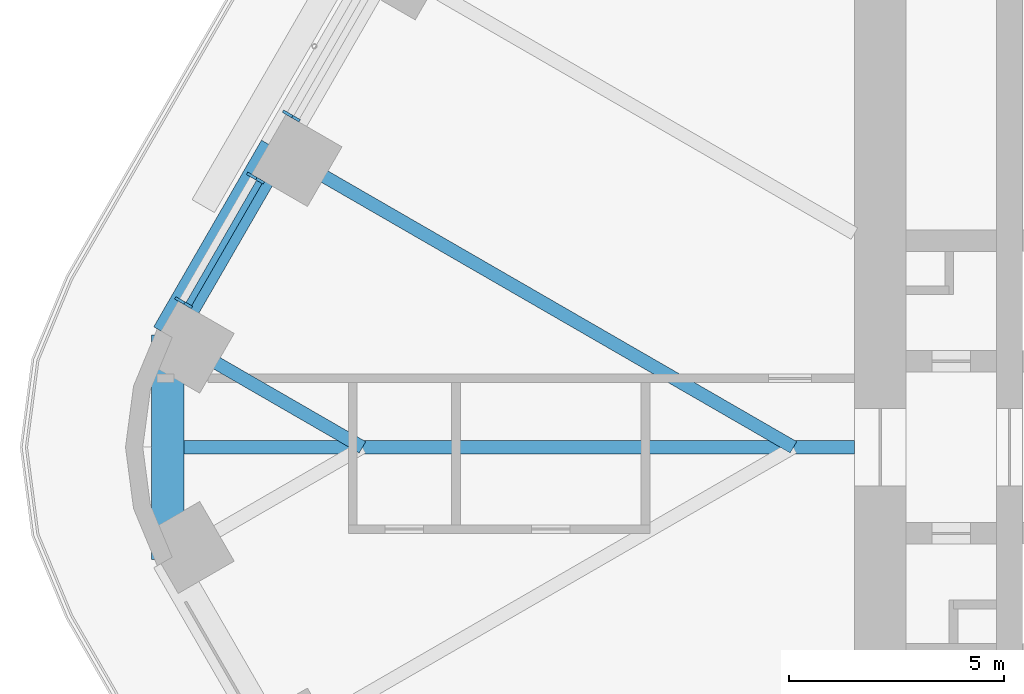
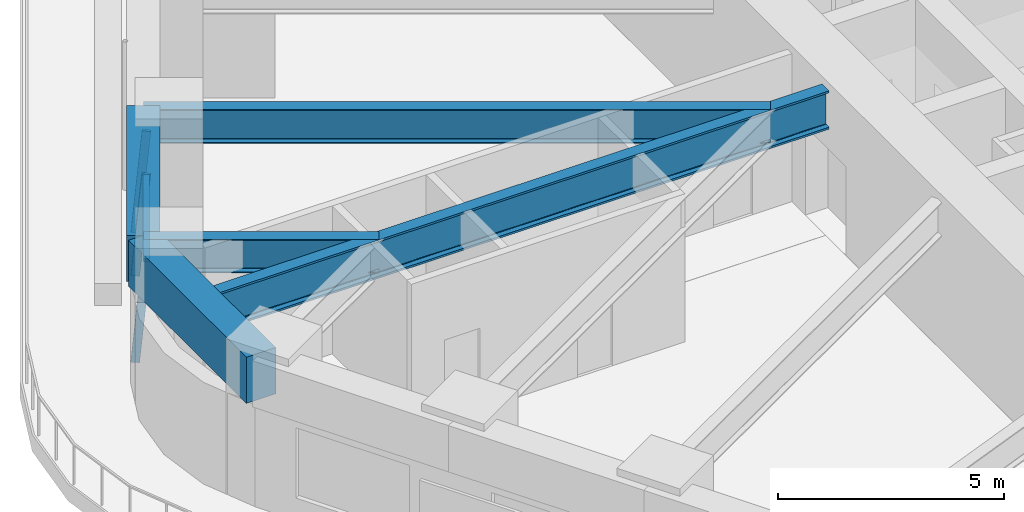
# One storey, part 6 of 24: 5 beams, 4 members, 2 elements without a shape of their own.
"""IFC4 building model written with IfcOpenShell, lengths in metres."""

from ifc_helpers import new_model, si_unit, direction, frame, origin, origin_2d, place, context, subcontext, project, spatial, rectangle, i_section, extrude, material, material_profile, profile_set, type_object, element, aggregate, save


model = new_model("IFC4")

# Units and contexts
model_context = context("Model", 3, precision=1e-05, world=origin(), true_north=direction((0.0, 1.0)))
body_context = subcontext(model_context, "Body", "Model", "MODEL_VIEW")
ifc_project = project(units=[si_unit("LENGTHUNIT", "METRE"), si_unit("AREAUNIT", "SQUARE_METRE"), si_unit("VOLUMEUNIT", "CUBIC_METRE"), si_unit("PLANEANGLEUNIT", "RADIAN"), si_unit("MASSUNIT", "GRAM", prefix="KILO")], contexts=[model_context])

# Site, building, storey
site_placement = place(None, origin())
site = spatial("IfcSite", under=ifc_project, at=site_placement, CompositionType="ELEMENT")
building_placement = place(site_placement, origin())
building = spatial("IfcBuilding", under=site, at=building_placement, Name="Tarfa Lantern Tower", CompositionType="ELEMENT")
storey_placement = place(building_placement, frame((0.0, 0.0, 157.300048828125)))
storey = spatial("IfcBuildingStorey", under=building, at=storey_placement, Name="L35", CompositionType="ELEMENT", Elevation=157.300048828125)

# Curtain wall, member
ifc_material_1 = material(Name="Aluminium framed curtain wall", Category="aluminium")
curtain_wall_type = type_object("IfcCurtainWallType", Name="CW2 CANTED GLAZING MID ZONE 2750", PredefinedType="USERDEFINED", material=ifc_material_1)
curtain_wall_1_placement = place(storey_placement, origin())
curtain_wall_1 = element("IfcCurtainWall", 1, at=curtain_wall_1_placement, inside=storey, type_object=curtain_wall_type, Name="CW2 NWB L35", ObjectType="CURTAIN WALL", PredefinedType="USERDEFINED")
ifc_material_2 = material(Name="Aluminium mullion", Category="aluminium")
ifc_material_profile_1 = material_profile(ifc_material_2, rectangle(XDim=0.06494140625, YDim=0.199951171875, at=origin_2d()), Name="AL MULLION 65x200")
ifc_profile_set_1 = profile_set([ifc_material_profile_1], Name="Aluminium mullion")
member_type_1 = type_object("IfcMemberType", Name="CWM1 MULLION 65x200", PredefinedType="MULLION", material=ifc_profile_set_1)
member_1_placement = place(storey_placement, frame((-31.78076171875, 7.75439453125, 0.0), z_axis=(0.078422950161, -0.045267813396, 0.995891894715), x_axis=(0.499919672301, 0.866071776036, 0.0)))
member_1 = element("IfcMember", 2, at=member_1_placement, type_object=member_type_1, Name="CW2 mullion 2", PredefinedType="MULLION", context=body_context, shape_type="SweptSolid", body=[
    extrude(rectangle(XDim=0.06494140625, YDim=0.199951171875, at=origin_2d()), origin(), (0.0, 0.0, 1.0), 2.76123046875),
])
aggregate(curtain_wall_1, [member_1])

# Curtain wall, members
curtain_wall_2_placement = place(storey_placement, origin())
curtain_wall_2 = element("IfcCurtainWall", 3, at=curtain_wall_2_placement, inside=storey, type_object=curtain_wall_type, Name="CW2 NWB L35", ObjectType="CURTAIN WALL", PredefinedType="USERDEFINED")
member_2_placement = place(storey_placement, frame((-32.613037109375, 6.312255859375, 0.0), z_axis=(0.078335079308, -0.045268127094, 0.995898796073), x_axis=(0.500342721131, 0.865827443207, 0.0)))
member_2 = element("IfcMember", 4, at=member_2_placement, type_object=member_type_1, Name="CW2 mullion 1", PredefinedType="MULLION", context=body_context, shape_type="SweptSolid", body=[
    extrude(rectangle(XDim=0.06494140625, YDim=0.199951171875, at=origin_2d()), origin(), (0.0, 0.0, 1.0), 2.76123046875),
])
member_3_placement = place(storey_placement, frame((-34.282470703125, 3.4208984375, 0.0), z_axis=(0.078422950161, -0.045267813396, 0.995891894715), x_axis=(0.499919672301, 0.866071776036, 0.0)))
member_3 = element("IfcMember", 5, at=member_3_placement, type_object=member_type_1, Name="CW2 mullion 2", PredefinedType="MULLION", context=body_context, shape_type="SweptSolid", body=[
    extrude(rectangle(XDim=0.06494140625, YDim=0.199951171875, at=origin_2d()), origin(), (0.0, 0.0, 1.0), 2.76123046875),
])
ifc_material_3 = material(Name="Aluminium transom", Category="aluminium")
ifc_material_profile_2 = material_profile(ifc_material_3, rectangle(XDim=0.14990234375, YDim=0.06494140625, at=origin_2d()), Name="AL TRANSOM 150x65")
ifc_profile_set_2 = profile_set([ifc_material_profile_2], Name="Aluminium transom")
member_type_2 = type_object("IfcMemberType", Name="CWT1 TRANSOM 150x65", PredefinedType="USERDEFINED", material=ifc_profile_set_2)
member_4_placement = place(storey_placement, frame((-32.41552734375, 6.16064453125, 2.717529296875), z_axis=(-0.499989298045, -0.866031582473, 0.0), x_axis=(0.866031582473, -0.499989298045, 0.0)))
member_4 = element("IfcMember", 6, at=member_4_placement, type_object=member_type_2, Name="CW2 transom 1.2", ObjectType="TRANSOM", PredefinedType="USERDEFINED", context=body_context, shape_type="SweptSolid", body=[
    extrude(rectangle(XDim=0.14990234375, YDim=0.06494140625, at=origin_2d()), origin(), (0.0, 0.0, 1.0), 3.2734375),
])
aggregate(curtain_wall_2, [member_2, member_3, member_4])

# Beams
ifc_material_4 = material(Name="Concrete C80/95", Category="concrete")
ifc_material_profile_3 = material_profile(ifc_material_4, rectangle(XDim=0.75, YDim=1.25, at=origin_2d()), Name="RC 750x1250")
ifc_profile_set_3 = profile_set([ifc_material_profile_3], Name="Concrete C80/95")
beam_type_1 = type_object("IfcBeamType", Name="EB2 RC 750x1250", PredefinedType="SPANDREL", material=ifc_profile_set_3)
beam_1_placement = place(storey_placement, frame((-32.041015625, 6.943359375, 3.375), z_axis=(-0.500022324899, -0.866012514114, 0.0), x_axis=(0.866012514114, -0.500022324899, 0.0)))
element("IfcBeam", 7, at=beam_1_placement, inside=storey, type_object=beam_type_1, Name="Edge beam NW5", PredefinedType="SPANDREL", context=body_context, shape_type="SweptSolid", body=[
    extrude(rectangle(XDim=0.75, YDim=1.25, at=origin_2d()), origin(), (0.0, 0.0, 1.0), 5.003662109375),
])
beam_2_placement = place(storey_placement, frame((-34.54296875, 2.610107421875, 3.375), z_axis=(0.0, -1.0, 0.0), x_axis=(1.0, 0.0, 0.0)))
element("IfcBeam", 8, at=beam_2_placement, inside=storey, type_object=beam_type_1, Name="Edge beam NW6", PredefinedType="SPANDREL", context=body_context, shape_type="SweptSolid", body=[
    extrude(rectangle(XDim=0.75, YDim=1.25, at=origin_2d()), origin(), (0.0, 0.0, 1.0), 5.22021484375),
])
ifc_material_5 = material(Name="Steel S460M", Category="steel")
ifc_material_profile_4 = material_profile(ifc_material_5, i_section(OverallWidth=0.30859375, OverallDepth=1.036376953125, WebThickness=0.030029296875, FlangeThickness=0.05419921875, FilletRadius=0.030029296875, at=origin_2d()), Name="UB1016x305x487")
ifc_profile_set_4 = profile_set([ifc_material_profile_4], Name="Steel S460M")
beam_type_2 = type_object("IfcBeamType", Name="UB1016x305x487", PredefinedType="BEAM", material=ifc_profile_set_4)
beam_3_placement = place(storey_placement, frame((-18.60009765625, 0.0, 3.481689453125), z_axis=(-1.0, 0.0, 0.0), x_axis=(0.0, -1.0, 0.0)))
element("IfcBeam", 9, at=beam_3_placement, inside=storey, type_object=beam_type_2, Name="Hip girder W", PredefinedType="BEAM", context=body_context, shape_type="SweptSolid", body=[
    extrude(i_section(OverallWidth=0.30859375, OverallDepth=1.036376953125, WebThickness=0.030029296875, FlangeThickness=0.05419921875, FilletRadius=0.030029296875, at=origin_2d()), origin(), (0.0, 0.0, 1.0), 15.94287109375),
])
ifc_material_profile_5 = material_profile(ifc_material_5, i_section(OverallWidth=0.305419921875, OverallDepth=0.91845703125, WebThickness=0.017333984375, FlangeThickness=0.02783203125, FilletRadius=0.01904296875, at=origin_2d()), Name="UB914x305x253")
ifc_profile_set_5 = profile_set([ifc_material_profile_5], Name="Steel S460M")
beam_type_3 = type_object("IfcBeamType", Name="UB914x305x253", PredefinedType="BEAM", material=ifc_profile_set_5)
beam_4_placement = place(storey_placement, frame((-32.041015625, 6.943359375, 3.540771484375), z_axis=(0.866023096411, -0.500003996466, 0.0), x_axis=(0.500003996466, 0.866023096411, 0.0)))
element("IfcBeam", 10, at=beam_4_placement, inside=storey, type_object=beam_type_3, Name="Floor beam NW5", PredefinedType="BEAM", context=body_context, shape_type="SweptSolid", body=[
    extrude(i_section(OverallWidth=0.305419921875, OverallDepth=0.91845703125, WebThickness=0.017333984375, FlangeThickness=0.02783203125, FilletRadius=0.01904296875, at=origin_2d()), origin(), (0.0, 0.0, 1.0), 13.88671875),
])
beam_5_placement = place(storey_placement, frame((-34.54296875, 2.610107421875, 3.540771484375), z_axis=(0.866021250859, -0.500007193008, 0.0), x_axis=(0.500007193008, 0.866021250859, 0.0)))
element("IfcBeam", 11, at=beam_5_placement, inside=storey, type_object=beam_type_3, Name="Floor beam NW6", PredefinedType="BEAM", context=body_context, shape_type="SweptSolid", body=[
    extrude(i_section(OverallWidth=0.305419921875, OverallDepth=0.91845703125, WebThickness=0.017333984375, FlangeThickness=0.02783203125, FilletRadius=0.01904296875, at=origin_2d()), origin(), (0.0, 0.0, 1.0), 5.22021484375),
])

save(model, "model.ifc")
